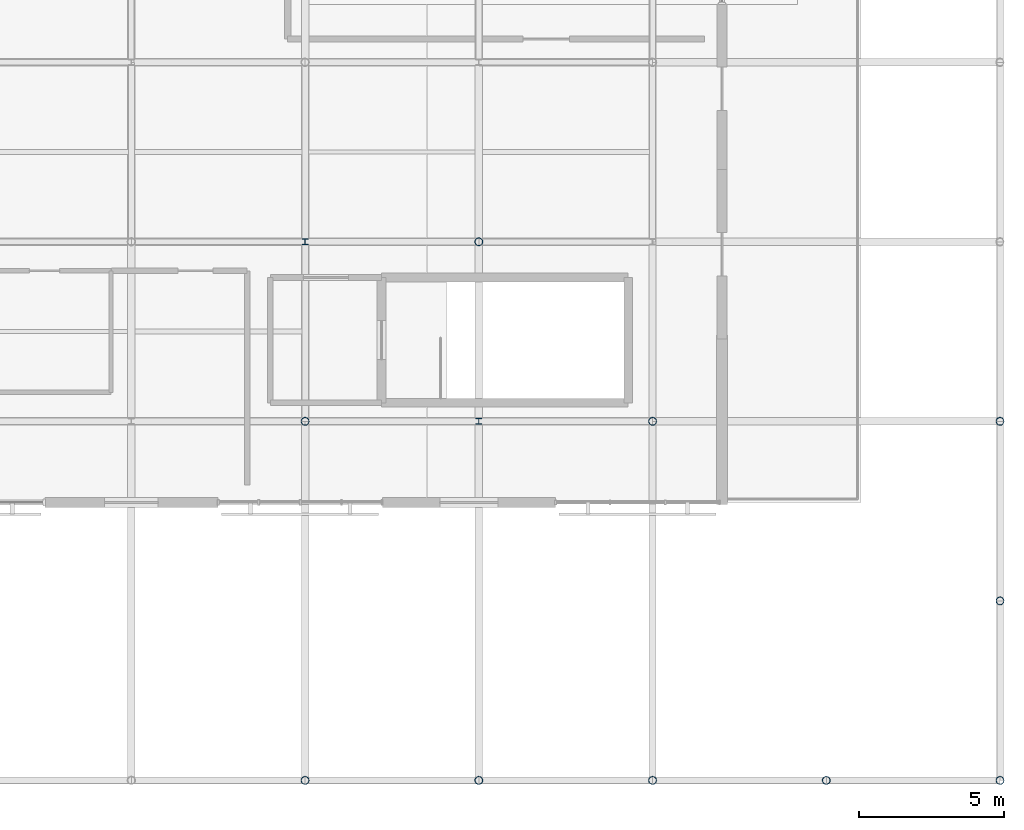
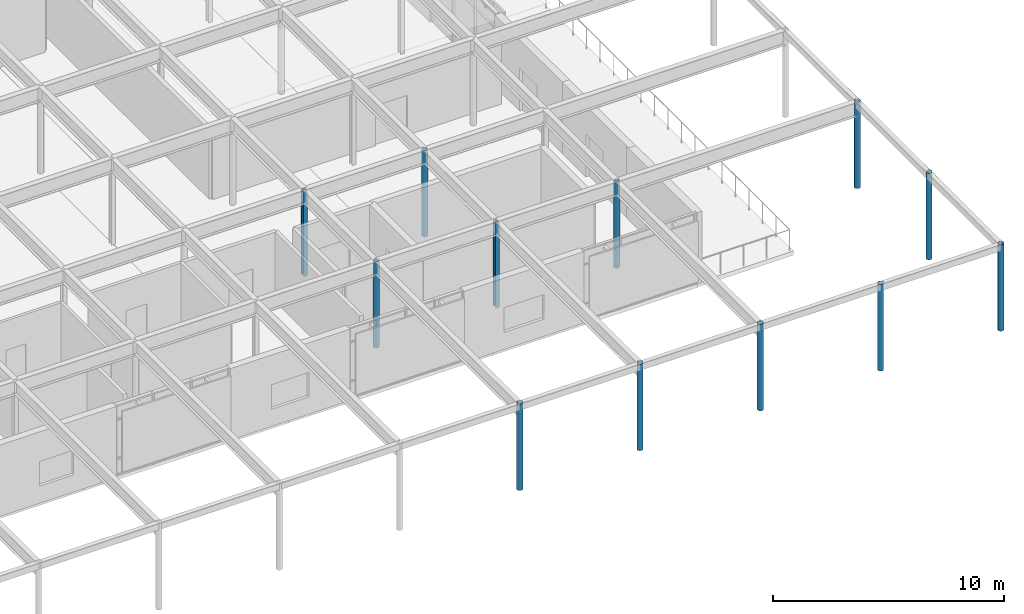
# One storey, part 6 of 48: 12 columns.
"""IFC4 building model written with IfcOpenShell, lengths in metres."""

from ifc_helpers import new_model, si_unit, direction, frame, origin, origin_2d, place, context, subcontext, project, spatial, hollow_circle, i_section, extrude, material, material_profile, profile_set, type_object, element, save


model = new_model("IFC4")

# Units and contexts
model_context = context("Model", 3, precision=1e-05, world=origin(), true_north=direction((0.0, 1.0)))
body_context = subcontext(model_context, "Body", "Model", "MODEL_VIEW")
ifc_project = project(units=[si_unit("LENGTHUNIT", "METRE"), si_unit("AREAUNIT", "SQUARE_METRE"), si_unit("VOLUMEUNIT", "CUBIC_METRE"), si_unit("PLANEANGLEUNIT", "RADIAN"), si_unit("MASSUNIT", "GRAM", prefix="KILO")], contexts=[model_context])

# Site, building, storey
site_placement = place(None, origin())
site = spatial("IfcSite", under=ifc_project, at=site_placement, CompositionType="ELEMENT")
building_placement = place(site_placement, origin())
building = spatial("IfcBuilding", under=site, at=building_placement, Name="Mirzam Square Science Centre", CompositionType="ELEMENT")
storey_placement = place(building_placement, frame((0.0, 0.0, 20.39990234375)))
storey = spatial("IfcBuildingStorey", under=building, at=storey_placement, Name="L04", CompositionType="ELEMENT", Elevation=20.39990234375)

# Columns
ifc_material = material(Name="Steel S355", Category="steel")
ifc_material_profile_1 = material_profile(ifc_material, hollow_circle(Radius=0.136474609375, WallThickness=0.010009765625, at=origin_2d()), Name="273.0x10.0CHS")
ifc_profile_set_1 = profile_set([ifc_material_profile_1], Name="Steel S355")
column_type_1 = type_object("IfcColumnType", Name="COL-CHS273", PredefinedType="COLUMN", material=ifc_profile_set_1)
column_1_placement = place(storey_placement, frame((138.0, 37.199951171875, 0.0), z_axis=(0.0, 0.0, 1.0), x_axis=(1.0, 0.0, 0.0)))
element("IfcColumn", 1, at=column_1_placement, inside=storey, type_object=column_type_1, Name="L04 column G24-07", PredefinedType="COLUMN", context=body_context, shape_type="SweptSolid", body=[
    extrude(hollow_circle(Radius=0.136474609375, WallThickness=0.010009765625, at=origin_2d()), origin(), (0.0, 0.0, 1.0), 4.570068359375),
])
column_2_placement = place(storey_placement, frame((138.0, 49.60009765625, 0.0), z_axis=(0.0, 0.0, 1.0), x_axis=(1.0, 0.0, 0.0)))
element("IfcColumn", 2, at=column_2_placement, inside=storey, type_object=column_type_1, Name="L04 column G24-09", PredefinedType="COLUMN", context=body_context, shape_type="SweptSolid", body=[
    extrude(hollow_circle(Radius=0.136474609375, WallThickness=0.010009765625, at=origin_2d()), origin(), (0.0, 0.0, 1.0), 4.550048828125),
])
column_3_placement = place(storey_placement, frame((144.0, 37.199951171875, 0.0), z_axis=(0.0, 0.0, 1.0), x_axis=(1.0, 0.0, 0.0)))
element("IfcColumn", 3, at=column_3_placement, inside=storey, type_object=column_type_1, Name="L04 column G25-07", PredefinedType="COLUMN", context=body_context, shape_type="SweptSolid", body=[
    extrude(hollow_circle(Radius=0.136474609375, WallThickness=0.010009765625, at=origin_2d()), origin(), (0.0, 0.0, 1.0), 4.570068359375),
])
column_4_placement = place(storey_placement, frame((144.0, 55.800048828125, 0.0), z_axis=(0.0, 0.0, 1.0), x_axis=(1.0, 0.0, 0.0)))
element("IfcColumn", 4, at=column_4_placement, inside=storey, type_object=column_type_1, Name="L04 column G25-10", PredefinedType="COLUMN", context=body_context, shape_type="SweptSolid", body=[
    extrude(hollow_circle(Radius=0.136474609375, WallThickness=0.010009765625, at=origin_2d()), origin(), (0.0, 0.0, 1.0), 4.550048828125),
])
column_5_placement = place(storey_placement, frame((150.0, 37.199951171875, 0.0), z_axis=(0.0, 0.0, 1.0), x_axis=(1.0, 0.0, 0.0)))
element("IfcColumn", 5, at=column_5_placement, inside=storey, type_object=column_type_1, Name="L04 column G26-07", PredefinedType="COLUMN", context=body_context, shape_type="SweptSolid", body=[
    extrude(hollow_circle(Radius=0.136474609375, WallThickness=0.010009765625, at=origin_2d()), origin(), (0.0, 0.0, 1.0), 4.570068359375),
])
column_6_placement = place(storey_placement, frame((150.0, 49.60009765625, 0.0), z_axis=(0.0, 0.0, 1.0), x_axis=(1.0, 0.0, 0.0)))
element("IfcColumn", 6, at=column_6_placement, inside=storey, type_object=column_type_1, Name="L04 column G26-09", PredefinedType="COLUMN", context=body_context, shape_type="SweptSolid", body=[
    extrude(hollow_circle(Radius=0.136474609375, WallThickness=0.010009765625, at=origin_2d()), origin(), (0.0, 0.0, 1.0), 4.550048828125),
])
for number, where, z_axis, x_axis, name in (
    (7, (156.0, 37.199951171875, 0.0), (0.0, 0.0, 1.0), (1.0, 0.0, 0.0), "L04 column G27-07"),
    (8, (162.0, 37.199951171875, 0.0), (0.0, 0.0, 1.0), (1.0, 0.0, 0.0), "L04 column G28-07"),
    (9, (162.0, 43.39990234375, 0.0), (0.0, 0.0, 1.0), (1.0, 0.0, 0.0), "L04 column G28-08"),
    (10, (162.0, 49.60009765625, 0.0), (0.0, 0.0, 1.0), (1.0, 0.0, 0.0), "L04 column G28-09"),
):
    element("IfcColumn", number, at=place(storey_placement, frame(where, z_axis=z_axis, x_axis=x_axis)), inside=storey, type_object=column_type_1, Name=name, PredefinedType="COLUMN", context=body_context, shape_type="SweptSolid", body=[
        extrude(hollow_circle(Radius=0.136474609375, WallThickness=0.010009765625, at=origin_2d()), origin(), (0.0, 0.0, 1.0), 4.570068359375),
    ])
ifc_material_profile_2 = material_profile(ifc_material, i_section(OverallWidth=0.205810546875, OverallDepth=0.209716796875, WebThickness=0.009521484375, FlangeThickness=0.01416015625, FilletRadius=0.01025390625, at=origin_2d()), Name="203x203x60UC")
ifc_profile_set_2 = profile_set([ifc_material_profile_2], Name="Steel S355")
column_type_2 = type_object("IfcColumnType", Name="COL-UC203A", PredefinedType="COLUMN", material=ifc_profile_set_2)
for number, where, z_axis, x_axis, name in (
    (11, (138.0, 55.800048828125, 0.0), (0.0, 0.0, 1.0), (1.0, 0.0, 0.0), "L04 column G24-10"),
    (12, (144.0, 49.60009765625, 0.0), (0.0, 0.0, 1.0), (1.0, 0.0, 0.0), "L04 column G25-09"),
):
    element("IfcColumn", number, at=place(storey_placement, frame(where, z_axis=z_axis, x_axis=x_axis)), inside=storey, type_object=column_type_2, Name=name, PredefinedType="COLUMN", context=body_context, shape_type="SweptSolid", body=[
        extrude(i_section(OverallWidth=0.205810546875, OverallDepth=0.209716796875, WebThickness=0.009521484375, FlangeThickness=0.01416015625, FilletRadius=0.01025390625, at=origin_2d()), origin(), (0.0, 0.0, 1.0), 4.550048828125),
    ])

save(model, "model.ifc")
